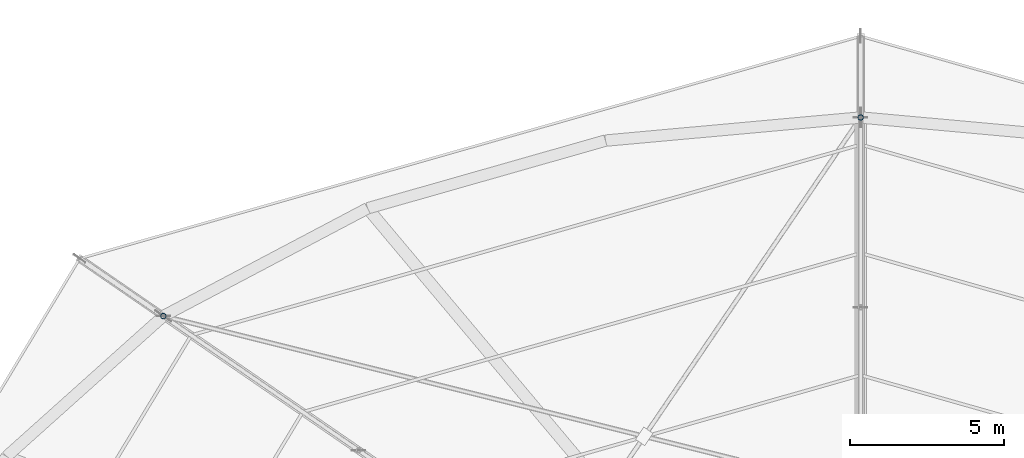
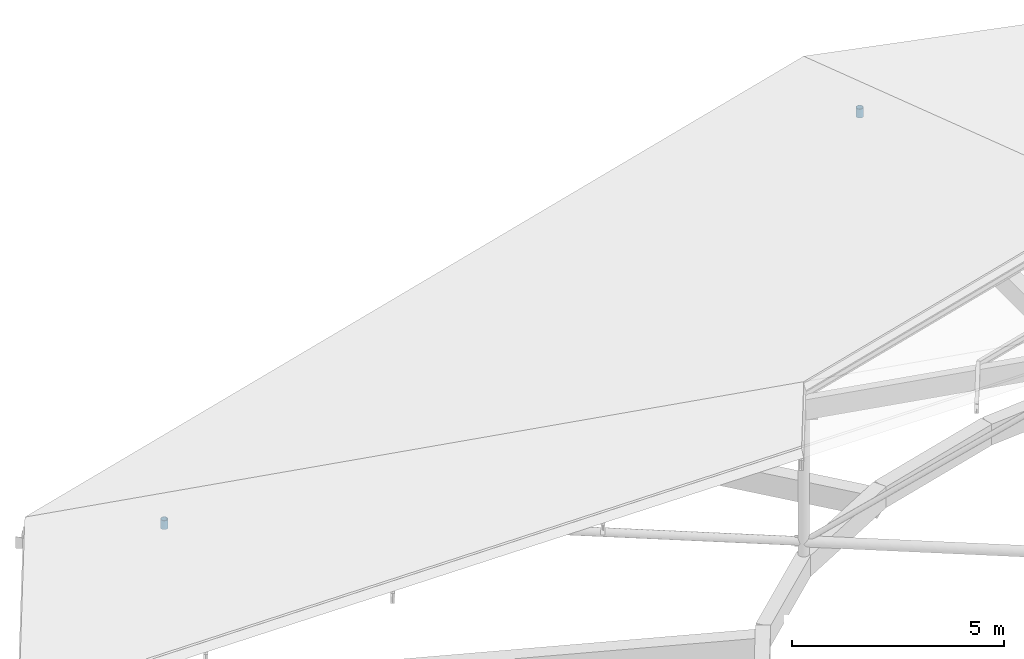
# One storey, part 43 of 66: 2 members.
"""IFC4 building model written with IfcOpenShell, lengths in metres."""

import ifcopenshell
import ifcopenshell.guid

model = None  # the IFC model being written
_history = None  # IfcOwnerHistory: only IFC2X3 demands one
_inside = {}  # id of a spatial element -> (the spatial element, [elements in it])
_under = {}  # id of a project, library or spatial element -> (it, [spatial elements below it])
_declared = {}  # id of a project -> (the project, [libraries it declares])
_typed = {}  # id of a type object -> (the type object, [elements of that type])
_made_of = {}  # id of a material, layer set ... -> (it, [elements and type objects made of it])


def new_model(schema):
    """Start an empty IFC model of exactly this schema.

    Asked for "IFC4X3", IfcOpenShell would pick the latest addendum, in which some entities
    have other attributes; the version numbers below select the first issue.
    IFC2X3 requires an IfcOwnerHistory on every rooted entity: one is made here for all.
    """
    global model, _history
    if schema == "IFC4X3":
        model = ifcopenshell.file(schema_version=(4, 3, 0, 0))
    else:
        model = ifcopenshell.file(schema=schema)
    _inside.clear()
    _under.clear()
    _declared.clear()
    _typed.clear()
    _made_of.clear()
    _history = None
    if model.schema == "IFC2X3":
        org = make("IfcOrganization", Name="unknown")
        user = make(
            "IfcPersonAndOrganization",
            ThePerson=make("IfcPerson", FamilyName="unknown"),
            TheOrganization=org,
        )
        app = make(
            "IfcApplication",
            ApplicationDeveloper=org,
            Version="unknown",
            ApplicationFullName="unknown",
            ApplicationIdentifier="unknown",
        )
        _history = make(
            "IfcOwnerHistory",
            OwningUser=user,
            OwningApplication=app,
            ChangeAction="ADDED",
            CreationDate=0,
        )
    return model


def make(cls, **values):
    """One entity of the class cls with the attributes given. An attribute that is None is left unset."""
    return model.create_entity(
        cls, **{name: value for name, value in values.items() if value is not None}
    )


def rooted(cls, **values):
    """An entity with a GlobalId (a new one), such as an element, a storey or a relation."""
    return make(cls, GlobalId=ifcopenshell.guid.new(), OwnerHistory=_history, **values)


def si_unit(unit_type, name, prefix=None):
    """IfcSIUnit, for example si_unit("LENGTHUNIT", "METRE", prefix="MILLI")."""
    return make("IfcSIUnit", UnitType=unit_type, Prefix=prefix, Name=name)


def assignment(units):
    """IfcUnitAssignment: the units of a project."""
    return None if units is None else make("IfcUnitAssignment", Units=units)


def point(xyz):
    """IfcCartesianPoint."""
    return None if xyz is None else make("IfcCartesianPoint", Coordinates=xyz)


def direction(xyz):
    """IfcDirection."""
    return None if xyz is None else make("IfcDirection", DirectionRatios=xyz)


def frame(location, z_axis=None, x_axis=None):
    """IfcAxis2Placement3D, a coordinate frame: its origin and axes. An axis left out is left unset."""
    return make(
        "IfcAxis2Placement3D",
        Location=point(location),
        Axis=direction(z_axis),
        RefDirection=direction(x_axis),
    )


def frame_2d(location, x_axis=None):
    """IfcAxis2Placement2D, a coordinate frame in the plane: its origin and x axis."""
    return make(
        "IfcAxis2Placement2D", Location=point(location), RefDirection=direction(x_axis)
    )


def origin():
    """The frame at (0, 0, 0) with its axes left unset."""
    return frame((0.0, 0.0, 0.0))


def origin_2d():
    """The frame at (0, 0) in the plane with its x axis left unset."""
    return frame_2d((0.0, 0.0))


def place(relative_to, where):
    """IfcLocalPlacement: puts the frame where relative to a parent placement (None: the world)."""
    return make(
        "IfcLocalPlacement", PlacementRelTo=relative_to, RelativePlacement=where
    )


def context(
    kind, dimensions, precision=None, world=None, true_north=None, identifier=None
):
    """IfcGeometricRepresentationContext, for example the 3D "Model" context."""
    return make(
        "IfcGeometricRepresentationContext",
        ContextIdentifier=identifier,
        ContextType=kind,
        CoordinateSpaceDimension=dimensions,
        Precision=precision,
        WorldCoordinateSystem=world,
        TrueNorth=true_north,
    )


def subcontext(parent, identifier, kind, view, scale=None):
    """IfcGeometricRepresentationSubContext, for example "Body" below "Model"."""
    return make(
        "IfcGeometricRepresentationSubContext",
        ContextIdentifier=identifier,
        ContextType=kind,
        ParentContext=parent,
        TargetScale=scale,
        TargetView=view,
    )


def project(units=None, contexts=None):
    """IfcProject with its units and contexts."""
    return rooted(
        "IfcProject",
        Name="project",
        RepresentationContexts=contexts,
        UnitsInContext=assignment(units),
    )


def spatial(cls, under=None, at=None, **own):
    """A site, building, storey or space (cls), placed at a placement, below another one or the project."""
    s = rooted(cls, ObjectPlacement=at, **own)
    if under is not None:
        _under.setdefault(under.id(), (under, []))[1].append(s)
    return s


def profile(cls, at=None, kind="AREA", **sizes):
    """A parametric profile (cls). Its sizes go by their IFC names, for example OverallWidth=200.0."""
    return make(cls, ProfileType=kind, Position=at, **sizes)


def hollow_circle(**sizes):
    """IfcCircleHollowProfileDef."""
    return profile("IfcCircleHollowProfileDef", **sizes)


def extrude(swept, where, along, depth):
    """IfcExtrudedAreaSolid: the profile swept, set in the frame where, extruded along a direction by depth."""
    return make(
        "IfcExtrudedAreaSolid",
        SweptArea=swept,
        Position=where,
        ExtrudedDirection=direction(along),
        Depth=depth,
    )


def shape(context_of_items, identifier, shape_type, items):
    """IfcShapeRepresentation: the items that make up one representation, for example the "Body"."""
    return make(
        "IfcShapeRepresentation",
        ContextOfItems=context_of_items,
        RepresentationIdentifier=identifier,
        RepresentationType=shape_type,
        Items=items,
    )


def material(Name=None, Category=None):
    """IfcMaterial."""
    return make("IfcMaterial", Name=Name, Category=Category)


def material_profile(
    of_material, cross_section, Name=None, Category=None, Priority=None
):
    """IfcMaterialProfile: a cross section and its material."""
    return make(
        "IfcMaterialProfile",
        Name=Name,
        Material=of_material,
        Profile=cross_section,
        Priority=Priority,
        Category=Category,
    )


def profile_set(profiles, Name=None, composite=None):
    """IfcMaterialProfileSet."""
    return make(
        "IfcMaterialProfileSet",
        Name=Name,
        MaterialProfiles=profiles,
        CompositeProfile=composite,
    )


def made_of(thing, what):
    """Note that an element or type object is made of a material, layer set ...; save() writes the relation."""
    if what is not None:
        _made_of.setdefault(what.id(), (what, []))[1].append(thing)
    return thing


def type_object(cls, material=None, **own):
    """A type object (cls), such as IfcWallType, which elements share."""
    return made_of(rooted(cls, **own), material)


def element(
    cls,
    number,
    at=None,
    inside=None,
    cuts=None,
    type_object=None,
    material=None,
    context=None,
    identifier="Body",
    shape_type=None,
    held_by="IfcProductDefinitionShape",
    body=None,
    shapes=None,
    **own,
):
    """One element of the class cls, such as IfcWall. Its Tag is "e" and its number.

    at: its placement. inside: the storey or other place that contains it. cuts: it is an
    opening in that element (IfcRelVoidsElement). A single representation is given by context,
    identifier, shape_type and body (its items); several are given by shapes. held_by: the class
    of the entity that holds the representations. save() writes the other relations.
    """
    e = rooted(cls, Tag="e%d" % number, ObjectPlacement=at, **own)
    if body is not None:
        shapes = [shape(context, identifier, shape_type, body)]
    if shapes is not None:
        e.Representation = make(held_by, Representations=shapes)
    if inside is not None:
        _inside.setdefault(inside.id(), (inside, []))[1].append(e)
    if cuts is not None:
        rooted(
            "IfcRelVoidsElement", RelatingBuildingElement=cuts, RelatedOpeningElement=e
        )
    if type_object is not None:
        _typed.setdefault(type_object.id(), (type_object, []))[1].append(e)
    return made_of(e, material)


def aggregate(whole, parts):
    """IfcRelAggregates: a whole, such as a stair, and the parts it consists of."""
    return rooted("IfcRelAggregates", RelatingObject=whole, RelatedObjects=parts)


def save(model, path):
    """Write the relations noted so far, then the file.

    IfcRelAggregates (storeys below a building ...), IfcRelContainedInSpatialStructure (elements
    in a storey), IfcRelDefinesByType, IfcRelAssociatesMaterial and IfcRelDeclares: one each for
    every whole, place, type object, material and project.
    """
    for whole, parts in _under.values():
        aggregate(whole, parts)
    for where, things in _inside.values():
        rooted(
            "IfcRelContainedInSpatialStructure",
            RelatedElements=things,
            RelatingStructure=where,
        )
    for kind, things in _typed.values():
        rooted("IfcRelDefinesByType", RelatedObjects=things, RelatingType=kind)
    for what, things in _made_of.values():
        rooted("IfcRelAssociatesMaterial", RelatedObjects=things, RelatingMaterial=what)
    for by, libraries in _declared.values():
        rooted("IfcRelDeclares", RelatingContext=by, RelatedDefinitions=libraries)
    model.write(path)


model = new_model("IFC4")

# Units and contexts
model_context = context("Model", 3, precision=1e-05, world=origin(), true_north=direction((0.0, 1.0)))
body_context = subcontext(model_context, "Body", "Model", "MODEL_VIEW")
ifc_project = project(units=[si_unit("LENGTHUNIT", "METRE"), si_unit("AREAUNIT", "SQUARE_METRE"), si_unit("VOLUMEUNIT", "CUBIC_METRE"), si_unit("PLANEANGLEUNIT", "RADIAN"), si_unit("MASSUNIT", "GRAM", prefix="KILO")], contexts=[model_context])

# Site, building, storey
site_placement = place(None, origin())
site = spatial("IfcSite", under=ifc_project, at=site_placement, CompositionType="ELEMENT")
building_placement = place(site_placement, origin())
building = spatial("IfcBuilding", under=site, at=building_placement, Name="Zornivar Specialist Clinic", CompositionType="ELEMENT")
storey_placement = place(building_placement, frame((0.0, 0.0, 16.0)))
storey = spatial("IfcBuildingStorey", under=building, at=storey_placement, Name="L04", CompositionType="ELEMENT", Elevation=16.0)

# Members
ifc_material = material(Name="Steel S355J2", Category="steel")
ifc_material_profile = material_profile(ifc_material, hollow_circle(Radius=0.0888671875, WallThickness=0.010009765625, at=origin_2d()), Name="CHS 177.8x10")
ifc_profile_set = profile_set([ifc_material_profile], Name="Steel S355J2")
member_type = type_object("IfcMemberType", Name="MEM-STRUT-CHS178", PredefinedType="STRUT", material=ifc_profile_set)
for number, where, z_axis, x_axis, name in (
    (1, (93.60009765625, 79.60009765625, -0.080078125), (0.0, 0.0, 1.0), (1.0, 0.0, 0.0), "mem:V1:L04:post:out:2"),
    (2, (70.972900390625, 73.156005859375, -0.080078125), (0.0, 0.0, 1.0), (1.0, 0.0, 0.0), "mem:V1:L04:post:out:3"),
):
    element("IfcMember", number, at=place(storey_placement, frame(where, z_axis=z_axis, x_axis=x_axis)), inside=storey, type_object=member_type, Name=name, PredefinedType="STRUT", context=body_context, shape_type="SweptSolid", body=[
        extrude(hollow_circle(Radius=0.0888671875, WallThickness=0.010009765625, at=origin_2d()), origin(), (0.0, 0.0, 1.0), 0.257080078125),
    ])

save(model, "model.ifc")
